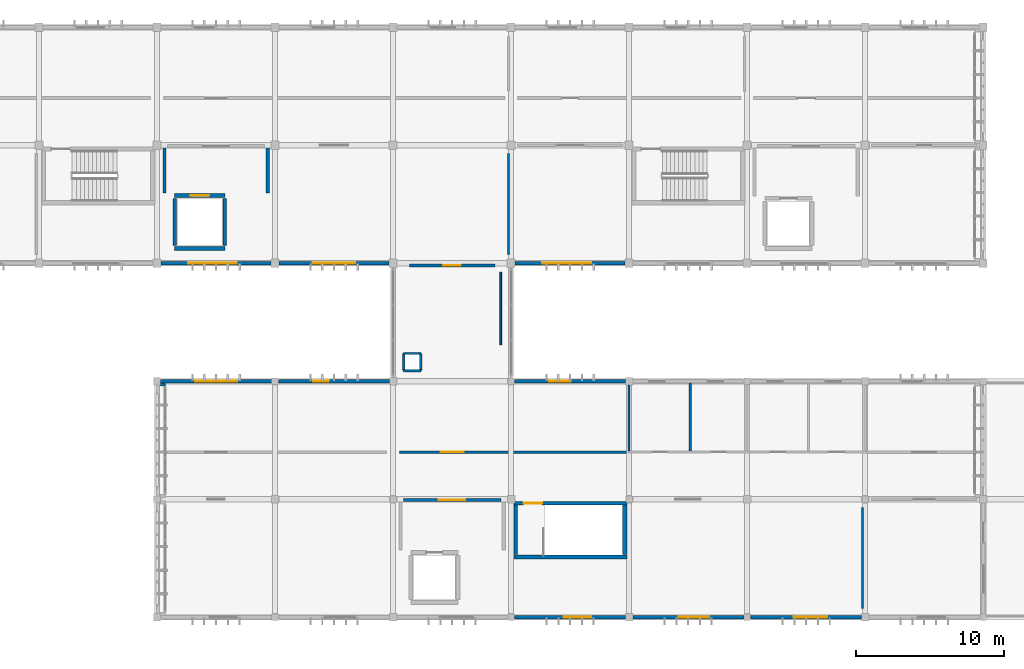
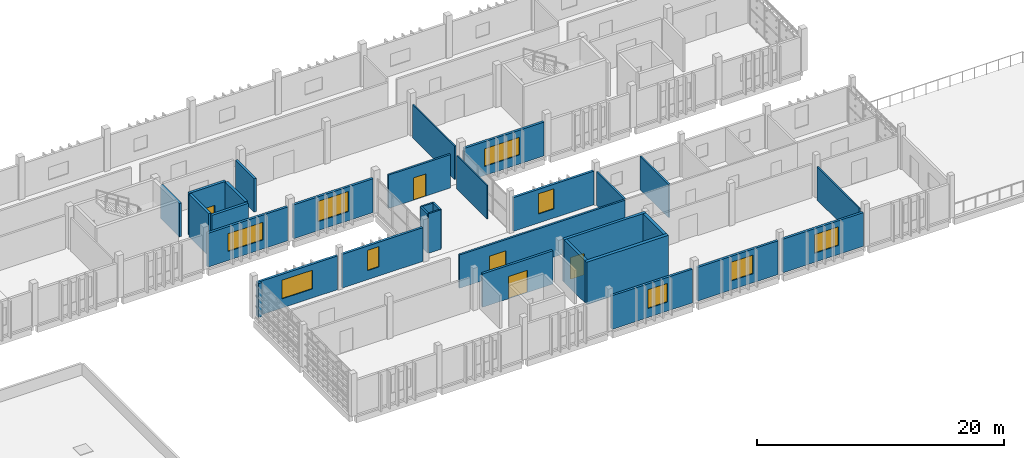
# One storey, part 22 of 32: 32 walls, 9 windows, 5 doors, 14 openings.
"""IFC4 building model written with IfcOpenShell, lengths in metres."""

from ifc_helpers import new_model, si_unit, direction, frame, frame_2d, origin, place, context, subcontext, project, spatial, rectangle, extrude, material, layer, layer_set, type_object, element, fill, save


model = new_model("IFC4")

# Units and contexts
model_context = context("Model", 3, precision=1e-05, world=origin(), true_north=direction((0.0, 1.0)))
body_context = subcontext(model_context, "Body", "Model", "MODEL_VIEW")
ifc_project = project(units=[si_unit("LENGTHUNIT", "METRE"), si_unit("AREAUNIT", "SQUARE_METRE"), si_unit("VOLUMEUNIT", "CUBIC_METRE"), si_unit("PLANEANGLEUNIT", "RADIAN"), si_unit("MASSUNIT", "GRAM", prefix="KILO")], contexts=[model_context])

# Site, building, storey
site_placement = place(None, origin())
site = spatial("IfcSite", under=ifc_project, at=site_placement, CompositionType="ELEMENT")
building_placement = place(site_placement, origin())
building = spatial("IfcBuilding", under=site, at=building_placement, Name="Jelvoka-Kovrelna Polytechnic", CompositionType="ELEMENT")
storey_placement = place(building_placement, frame((0.0, 0.0, 26.39990234375)))
storey = spatial("IfcBuildingStorey", under=building, at=storey_placement, Name="L07", CompositionType="ELEMENT", Elevation=26.39990234375)

# Wall, opening, door
ifc_material_1 = material(Name="Concrete C35/45", Category="concrete")
ifc_layer_1 = layer(ifc_material_1, 0.219970703125)
ifc_layer_set_1 = layer_set([ifc_layer_1], Name="Concrete C35/45")
wall_type_1 = type_object("IfcWallType", Name="Wall_Compartment_220", PredefinedType="PARTITIONING", material=ifc_layer_set_1)
wall_1_placement = place(storey_placement, frame((144.699951171875, 39.949951171875, 0.0), z_axis=(0.0, 0.0, 1.0), x_axis=(1.0, 0.0, 0.0)))
wall_1 = element("IfcWall", 1, at=wall_1_placement, inside=storey, type_object=wall_type_1, Name="L07 interior wall 0509", PredefinedType="PARTITIONING", context=body_context, shape_type="SweptSolid", body=[
    extrude(rectangle(XDim=6.60009765625, YDim=0.219970703125, at=frame_2d((3.300048828125, 0.0))), origin(), (0.0, 0.0, 1.0), 3.300048828125),
])
opening_1_placement = place(wall_1_placement, frame((2.39990234375, 0.0, 0.0)))
opening_1 = element("IfcOpeningElement", 2, at=opening_1_placement, cuts=wall_1, Name="Opening FD-L07-096", PredefinedType="OPENING", context=body_context, shape_type="SweptSolid", body=[
    extrude(rectangle(XDim=1.800048828125, YDim=2.199951171875, at=frame_2d((0.89990234375, 1.10009765625))), frame((0.0, 0.119873046875, 0.0), z_axis=(0.0, -1.0, 0.0), x_axis=(1.0, 0.0, 0.0)), (0.0, 0.0, 1.0), 0.239990234375),
])
ifc_material_2 = material(Name="Paired steel corridor fire door", Category="steel")
door_type_1 = type_object("IfcDoorType", Name="Door_Fire_FD03", OperationType="NOTDEFINED", PredefinedType="DOOR", material=ifc_material_2)
door_1_placement = place(opening_1_placement, origin())
door_1 = element("IfcDoor", 3, at=door_1_placement, inside=storey, type_object=door_type_1, Name="L07 interior door FD-L07-096", OperationType="DOUBLE_DOOR_SINGLE_SWING", OverallHeight=2.199951171875, OverallWidth=1.800048828125, PredefinedType="DOOR", context=body_context, shape_type="SweptSolid", body=[
    extrude(rectangle(XDim=1.800048828125, YDim=2.199951171875, at=frame_2d((0.89990234375, 1.10009765625))), frame((0.0, 0.02490234375, 0.0), z_axis=(0.0, -1.0, 0.0), x_axis=(1.0, 0.0, 0.0)), (0.0, 0.0, 1.0), 0.050048828125),
])
fill(opening_1, door_1)

# Walls
for number, where, z_axis, x_axis, name in (
    (4, (128.5, 60.75, 0.0), (0.0, 0.0, 1.0), (0.0, 1.0, 0.0), "L07 interior wall 0682"),
    (5, (135.5, 60.75, 0.0), (0.0, 0.0, 1.0), (0.0, 1.0, 0.0), "L07 interior wall 0683"),
):
    element("IfcWall", number, at=place(storey_placement, frame(where, z_axis=z_axis, x_axis=x_axis)), inside=storey, type_object=wall_type_1, Name=name, PredefinedType="PARTITIONING", context=body_context, shape_type="SweptSolid", body=[
        extrude(rectangle(XDim=3.050048828125, YDim=0.219970703125, at=frame_2d((1.52490234375, 0.0))), origin(), (0.0, 0.0, 1.0), 3.300048828125),
    ])

# Wall, opening, door
ifc_material_3 = material(Name="Concrete C40/50", Category="concrete")
ifc_layer_2 = layer(ifc_material_3, 0.25)
ifc_layer_set_2 = layer_set([ifc_layer_2], Name="Concrete C40/50")
wall_type_2 = type_object("IfcWallType", Name="Wall_Core_250", PredefinedType="SOLIDWALL", material=ifc_layer_set_2)
wall_2_placement = place(storey_placement, frame((152.199951171875, 39.739990234375, 0.0), z_axis=(0.0, 0.0, 1.0), x_axis=(1.0, 0.0, 0.0)))
wall_2 = element("IfcWall", 6, at=wall_2_placement, inside=storey, type_object=wall_type_2, Name="L07 interior wall 0143", PredefinedType="SOLIDWALL", context=body_context, shape_type="SweptSolid", body=[
    extrude(rectangle(XDim=7.650146484375, YDim=0.25, at=frame_2d((3.8251953125, 0.0))), origin(), (0.0, 0.0, 1.0), 4.2001953125),
])
opening_2_placement = place(wall_2_placement, frame((0.64990234375, 0.0, 0.0)))
opening_2 = element("IfcOpeningElement", 7, at=opening_2_placement, cuts=wall_2, Name="Opening SD-L07-036", PredefinedType="OPENING", context=body_context, shape_type="SweptSolid", body=[
    extrude(rectangle(XDim=1.25, YDim=2.14990234375, at=frame_2d((0.625, 1.074951171875))), frame((0.0, 0.135009765625, 0.0), z_axis=(0.0, -1.0, 0.0), x_axis=(1.0, 0.0, 0.0)), (0.0, 0.0, 1.0), 0.27001953125),
])
ifc_material_4 = material(Name="Powder-coated steel fire door", Category="steel")
door_type_2 = type_object("IfcDoorType", Name="Door_Fire_FD02", OperationType="NOTDEFINED", PredefinedType="DOOR", material=ifc_material_4)
door_2_placement = place(opening_2_placement, origin())
door_2 = element("IfcDoor", 8, at=door_2_placement, inside=storey, type_object=door_type_2, Name="L07 interior door SD-L07-036", OperationType="SINGLE_SWING_LEFT", OverallHeight=2.14990234375, OverallWidth=1.25, PredefinedType="DOOR", context=body_context, shape_type="SweptSolid", body=[
    extrude(rectangle(XDim=1.25, YDim=2.14990234375, at=frame_2d((0.625, 1.074951171875))), frame((0.0, 0.02490234375, 0.0), z_axis=(0.0, -1.0, 0.0), x_axis=(1.0, 0.0, 0.0)), (0.0, 0.0, 1.0), 0.050048828125),
])
fill(opening_2, door_2)

# Walls
wall_3_placement = place(storey_placement, frame((152.324951171875, 36.25, 0.0), z_axis=(0.0, 0.0, 1.0), x_axis=(0.0, 1.0, 0.0)))
element("IfcWall", 9, at=wall_3_placement, inside=storey, type_object=wall_type_2, Name="L07 interior wall 0144", PredefinedType="SOLIDWALL", context=body_context, shape_type="SweptSolid", body=[
    extrude(rectangle(XDim=3.360107421875, YDim=0.25, at=frame_2d((1.68017578125, 0.0))), origin(), (0.0, 0.0, 1.0), 4.2001953125),
])
wall_4_placement = place(storey_placement, frame((129.199951171875, 57.0, 0.0), z_axis=(0.0, 0.0, 1.0), x_axis=(1.0, 0.0, 0.0)))
element("IfcWall", 10, at=wall_4_placement, inside=storey, type_object=wall_type_2, Name="L07 interior wall 0677", PredefinedType="SOLIDWALL", context=body_context, shape_type="SweptSolid", body=[
    extrude(rectangle(XDim=3.400146484375, YDim=0.25, at=frame_2d((1.7001953125, 0.0))), origin(), (0.0, 0.0, 1.0), 4.2001953125),
])

# Wall, opening, door
wall_5_placement = place(storey_placement, frame((129.199951171875, 60.60009765625, 0.0), z_axis=(0.0, 0.0, 1.0), x_axis=(1.0, 0.0, 0.0)))
wall_5 = element("IfcWall", 11, at=wall_5_placement, inside=storey, type_object=wall_type_2, Name="L07 interior wall 0678", PredefinedType="SOLIDWALL", context=body_context, shape_type="SweptSolid", body=[
    extrude(rectangle(XDim=3.400146484375, YDim=0.25, at=frame_2d((1.7001953125, 0.0))), origin(), (0.0, 0.0, 1.0), 4.2001953125),
])
opening_3_placement = place(wall_5_placement, frame((1.050048828125, 0.0, 0.0)))
opening_3 = element("IfcOpeningElement", 12, at=opening_3_placement, cuts=wall_5, Name="Opening LD-L07-53", PredefinedType="OPENING", context=body_context, shape_type="SweptSolid", body=[
    extrude(rectangle(XDim=1.300048828125, YDim=2.199951171875, at=frame_2d((0.64990234375, 1.10009765625))), frame((0.0, 0.135009765625, 0.0), z_axis=(0.0, -1.0, 0.0), x_axis=(1.0, 0.0, 0.0)), (0.0, 0.0, 1.0), 0.27001953125),
])
ifc_material_5 = material(Name="Heavy-duty stainless goods lift landing door", Category="wood")
door_type_3 = type_object("IfcDoorType", Name="Door_Lift_LD02", OperationType="NOTDEFINED", PredefinedType="DOOR", material=ifc_material_5)
door_3_placement = place(opening_3_placement, origin())
door_3 = element("IfcDoor", 13, at=door_3_placement, inside=storey, type_object=door_type_3, Name="L07 lift landing sliding door LD-L07-53", OperationType="DOUBLE_DOOR_SLIDING", OverallHeight=2.199951171875, OverallWidth=1.300048828125, PredefinedType="DOOR", context=body_context, shape_type="SweptSolid", body=[
    extrude(rectangle(XDim=1.300048828125, YDim=2.199951171875, at=frame_2d((0.64990234375, 1.10009765625))), frame((0.0, 0.02490234375, 0.0), z_axis=(0.0, -1.0, 0.0), x_axis=(1.0, 0.0, 0.0)), (0.0, 0.0, 1.0), 0.050048828125),
])
fill(opening_3, door_3)

# Walls
for number, where, z_axis, x_axis, name in (
    (14, (129.199951171875, 57.199951171875, 0.0), (0.0, 0.0, 1.0), (0.0, 1.0, 0.0), "L07 interior wall 0679"),
    (15, (132.60009765625, 57.199951171875, 0.0), (0.0, 0.0, 1.0), (0.0, 1.0, 0.0), "L07 interior wall 0680"),
):
    element("IfcWall", number, at=place(storey_placement, frame(where, z_axis=z_axis, x_axis=x_axis)), inside=storey, type_object=wall_type_2, Name=name, PredefinedType="SOLIDWALL", context=body_context, shape_type="SweptSolid", body=[
        extrude(rectangle(XDim=3.199951171875, YDim=0.25, at=frame_2d((1.60009765625, 0.0))), origin(), (0.0, 0.0, 1.0), 4.2001953125),
    ])

# Wall, opening, door
ifc_material_6 = material(Name="Autoclaved aerated concrete blockwork", Category="masonry")
ifc_layer_3 = layer(ifc_material_6, 0.179931640625)
ifc_layer_set_3 = layer_set([ifc_layer_3], Name="Autoclaved aerated concrete blockwork")
wall_type_3 = type_object("IfcWallType", Name="Wall_Corridor_180", PredefinedType="PARTITIONING", material=ifc_layer_set_3)
wall_6_placement = place(storey_placement, frame((144.429931640625, 43.199951171875, 0.0), z_axis=(0.0, 0.0, 1.0), x_axis=(1.0, 0.0, 0.0)))
wall_6 = element("IfcWall", 16, at=wall_6_placement, inside=storey, type_object=wall_type_3, Name="L07 interior wall 1282", PredefinedType="PARTITIONING", context=body_context, shape_type="SweptSolid", body=[
    extrude(rectangle(XDim=15.4951171875, YDim=0.179931640625, at=frame_2d((7.74755859375, 0.0))), origin(), (0.0, 0.0, 1.0), 3.300048828125),
])
opening_4_placement = place(wall_6_placement, frame((2.7900390625, 0.0, 0.0)))
opening_4 = element("IfcOpeningElement", 17, at=opening_4_placement, cuts=wall_6, Name="Opening D-L07-448", PredefinedType="OPENING", context=body_context, shape_type="SweptSolid", body=[
    extrude(rectangle(XDim=1.56005859375, YDim=2.199951171875, at=frame_2d((0.780029296875, 1.10009765625))), frame((0.0, 0.099853515625, 0.0), z_axis=(0.0, -1.0, 0.0), x_axis=(1.0, 0.0, 0.0)), (0.0, 0.0, 1.0), 0.199951171875),
])
ifc_material_7 = material(Name="Paired studio double door", Category="wood")
door_type_4 = type_object("IfcDoorType", Name="Door_Int_D18", OperationType="NOTDEFINED", PredefinedType="DOOR", material=ifc_material_7)
door_4_placement = place(opening_4_placement, origin())
door_4 = element("IfcDoor", 18, at=door_4_placement, inside=storey, type_object=door_type_4, Name="L07 interior door D-L07-448", OperationType="DOUBLE_DOOR_SINGLE_SWING", OverallHeight=2.199951171875, OverallWidth=1.56005859375, PredefinedType="DOOR", context=body_context, shape_type="SweptSolid", body=[
    extrude(rectangle(XDim=1.56005859375, YDim=2.199951171875, at=frame_2d((0.780029296875, 1.10009765625))), frame((0.0, 0.02490234375, 0.0), z_axis=(0.0, -1.0, 0.0), x_axis=(1.0, 0.0, 0.0)), (0.0, 0.0, 1.0), 0.050048828125),
])
fill(opening_4, door_4)

wall_7_placement = place(storey_placement, frame((145.10009765625, 55.85009765625, 0.0), z_axis=(0.0, 0.0, 1.0), x_axis=(1.0, 0.0, 0.0)))
wall_7 = element("IfcWall", 19, at=wall_7_placement, inside=storey, type_object=wall_type_3, Name="L07 interior wall 1300", PredefinedType="PARTITIONING", context=body_context, shape_type="SweptSolid", body=[
    extrude(rectangle(XDim=5.7998046875, YDim=0.179931640625, at=frame_2d((2.89990234375, 0.0))), origin(), (0.0, 0.0, 1.0), 3.300048828125),
])
opening_5_placement = place(wall_7_placement, frame((2.300048828125, 0.0, 0.0)))
opening_5 = element("IfcOpeningElement", 20, at=opening_5_placement, cuts=wall_7, Name="Opening D-L07-461", PredefinedType="OPENING", context=body_context, shape_type="SweptSolid", body=[
    extrude(rectangle(XDim=1.199951171875, YDim=2.199951171875, at=frame_2d((0.60009765625, 1.10009765625))), frame((0.0, 0.099853515625, 0.0), z_axis=(0.0, -1.0, 0.0), x_axis=(1.0, 0.0, 0.0)), (0.0, 0.0, 1.0), 0.199951171875),
])
ifc_material_8 = material(Name="Laboratory vision-panel door", Category="wood")
door_type_5 = type_object("IfcDoorType", Name="Door_Int_D13", OperationType="NOTDEFINED", PredefinedType="DOOR", material=ifc_material_8)
door_5_placement = place(opening_5_placement, origin())
door_5 = element("IfcDoor", 21, at=door_5_placement, inside=storey, type_object=door_type_5, Name="L07 interior door D-L07-461", OperationType="SINGLE_SWING_RIGHT", OverallHeight=2.199951171875, OverallWidth=1.199951171875, PredefinedType="DOOR", context=body_context, shape_type="SweptSolid", body=[
    extrude(rectangle(XDim=1.199951171875, YDim=2.199951171875, at=frame_2d((0.60009765625, 1.10009765625))), frame((0.0, 0.02490234375, 0.0), z_axis=(0.0, -1.0, 0.0), x_axis=(1.0, 0.0, 0.0)), (0.0, 0.0, 1.0), 0.050048828125),
])
fill(opening_5, door_5)

# Wall, opening, window
ifc_material_9 = material(Name="Precast concrete C40/50", Category="concrete")
ifc_layer_4 = layer(ifc_material_9, 0.219970703125)
ifc_layer_set_4 = layer_set([ifc_layer_4], Name="Precast concrete C40/50")
wall_type_4 = type_object("IfcWallType", Name="Wall_Ext_White_220", PredefinedType="STANDARD", material=ifc_layer_set_4)
wall_8_placement = place(storey_placement, frame((128.2470703125, 48.0, 0.0), z_axis=(0.0, 0.0, 1.0), x_axis=(1.0, 0.0, 0.0)))
wall_8 = element("IfcWall", 22, at=wall_8_placement, inside=storey, type_object=wall_type_4, Name="L07 exterior wall 0556", PredefinedType="STANDARD", context=body_context, shape_type="SweptSolid", body=[
    extrude(rectangle(XDim=7.531005859375, YDim=0.219970703125, at=frame_2d((3.765625, 0.0))), origin(), (0.0, 0.0, 1.0), 3.335205078125),
])
opening_6_placement = place(wall_8_placement, frame((2.3330078125, 0.0, 0.89990234375)))
opening_6 = element("IfcOpeningElement", 23, at=opening_6_placement, cuts=wall_8, Name="Opening W-L07-243", PredefinedType="OPENING", context=body_context, shape_type="SweptSolid", body=[
    extrude(rectangle(XDim=2.85009765625, YDim=1.85009765625, at=frame_2d((1.425048828125, 0.925048828125))), frame((0.0, 0.119873046875, 0.0), z_axis=(0.0, -1.0, 0.0), x_axis=(1.0, 0.0, 0.0)), (0.0, 0.0, 1.0), 0.239990234375),
])
ifc_material_10 = material(Name="Thermally broken anodised aluminium and low-e glazing", Category="aluminium")
window_type_1 = type_object("IfcWindowType", Name="Win_Casement_W50", PartitioningType="DOUBLE_PANEL_VERTICAL", PredefinedType="WINDOW", material=ifc_material_10)
window_1_placement = place(opening_6_placement, origin())
window_1 = element("IfcWindow", 24, at=window_1_placement, inside=storey, type_object=window_type_1, Name="L07 aluminium casement window W-L07-243", OverallHeight=1.85009765625, OverallWidth=2.85009765625, PartitioningType="DOUBLE_PANEL_VERTICAL", PredefinedType="WINDOW", context=body_context, shape_type="SweptSolid", body=[
    extrude(rectangle(XDim=2.85009765625, YDim=1.85009765625, at=frame_2d((1.425048828125, 0.925048828125))), frame((0.0, 0.030029296875, 0.0), z_axis=(0.0, -1.0, 0.0), x_axis=(1.0, 0.0, 0.0)), (0.0, 0.0, 1.0), 0.06005859375),
])
fill(opening_6, window_1)

wall_9_placement = place(storey_placement, frame((136.221923828125, 48.0, 0.0), z_axis=(0.0, 0.0, 1.0), x_axis=(1.0, 0.0, 0.0)))
wall_9 = element("IfcWall", 25, at=wall_9_placement, inside=storey, type_object=wall_type_4, Name="L07 exterior wall 0558", PredefinedType="STANDARD", context=body_context, shape_type="SweptSolid", body=[
    extrude(rectangle(XDim=7.531005859375, YDim=0.219970703125, at=frame_2d((3.765625, 0.0))), origin(), (0.0, 0.0, 1.0), 3.335205078125),
])
opening_7_placement = place(wall_9_placement, frame((2.35791015625, 0.0, 0.89990234375)))
opening_7 = element("IfcOpeningElement", 26, at=opening_7_placement, cuts=wall_9, Name="Opening W-L07-245", PredefinedType="OPENING", context=body_context, shape_type="SweptSolid", body=[
    extrude(rectangle(XDim=1.050048828125, YDim=2.0, at=frame_2d((0.52490234375, 1.0))), frame((0.0, 0.119873046875, 0.0), z_axis=(0.0, -1.0, 0.0), x_axis=(1.0, 0.0, 0.0)), (0.0, 0.0, 1.0), 0.239990234375),
])
ifc_material_11 = material(Name="Thermally broken anodised aluminium and low-e glazing", Category="aluminium")
window_type_2 = type_object("IfcWindowType", Name="Win_Casement_W51", PartitioningType="SINGLE_PANEL", PredefinedType="WINDOW", material=ifc_material_11)
window_2_placement = place(opening_7_placement, origin())
window_2 = element("IfcWindow", 27, at=window_2_placement, inside=storey, type_object=window_type_2, Name="L07 aluminium casement window W-L07-245", OverallHeight=2.0, OverallWidth=1.050048828125, PartitioningType="SINGLE_PANEL", PredefinedType="WINDOW", context=body_context, shape_type="SweptSolid", body=[
    extrude(rectangle(XDim=1.050048828125, YDim=2.0, at=frame_2d((0.52490234375, 1.0))), frame((0.0, 0.030029296875, 0.0), z_axis=(0.0, -1.0, 0.0), x_axis=(1.0, 0.0, 0.0)), (0.0, 0.0, 1.0), 0.06005859375),
])
fill(opening_7, window_2)

wall_10_placement = place(storey_placement, frame((159.7529296875, 32.0, 0.0), z_axis=(0.0, 0.0, 1.0), x_axis=(-1.0, 0.0, 0.0)))
wall_10 = element("IfcWall", 28, at=wall_10_placement, inside=storey, type_object=wall_type_4, Name="L07 exterior wall 0560", PredefinedType="STANDARD", context=body_context, shape_type="SweptSolid", body=[
    extrude(rectangle(XDim=7.531005859375, YDim=0.219970703125, at=frame_2d((3.765625, 0.0))), origin(), (0.0, 0.0, 1.0), 3.335205078125),
])
opening_8_placement = place(wall_10_placement, frame((2.3330078125, 0.0, 0.89990234375)))
opening_8 = element("IfcOpeningElement", 29, at=opening_8_placement, cuts=wall_10, Name="Opening W-L07-247", PredefinedType="OPENING", context=body_context, shape_type="SweptSolid", body=[
    extrude(rectangle(XDim=1.85009765625, YDim=1.85009765625, at=frame_2d((0.925048828125, 0.925048828125))), frame((0.0, 0.119873046875, 0.0), z_axis=(0.0, -1.0, 0.0), x_axis=(1.0, 0.0, 0.0)), (0.0, 0.0, 1.0), 0.239990234375),
])
ifc_material_12 = material(Name="Thermally broken anodised aluminium and low-e glazing", Category="aluminium")
window_type_3 = type_object("IfcWindowType", Name="Win_Casement_W45", PartitioningType="DOUBLE_PANEL_VERTICAL", PredefinedType="WINDOW", material=ifc_material_12)
window_3_placement = place(opening_8_placement, origin())
window_3 = element("IfcWindow", 30, at=window_3_placement, inside=storey, type_object=window_type_3, Name="L07 aluminium casement window W-L07-247", OverallHeight=1.85009765625, OverallWidth=1.85009765625, PartitioningType="DOUBLE_PANEL_VERTICAL", PredefinedType="WINDOW", context=body_context, shape_type="SweptSolid", body=[
    extrude(rectangle(XDim=1.85009765625, YDim=1.85009765625, at=frame_2d((0.925048828125, 0.925048828125))), frame((0.0, 0.030029296875, 0.0), z_axis=(0.0, -1.0, 0.0), x_axis=(1.0, 0.0, 0.0)), (0.0, 0.0, 1.0), 0.06005859375),
])
fill(opening_8, window_3)

wall_11_placement = place(storey_placement, frame((152.221923828125, 48.0, 0.0), z_axis=(0.0, 0.0, 1.0), x_axis=(1.0, 0.0, 0.0)))
wall_11 = element("IfcWall", 31, at=wall_11_placement, inside=storey, type_object=wall_type_4, Name="L07 exterior wall 0561", PredefinedType="STANDARD", context=body_context, shape_type="SweptSolid", body=[
    extrude(rectangle(XDim=7.531005859375, YDim=0.219970703125, at=frame_2d((3.765625, 0.0))), origin(), (0.0, 0.0, 1.0), 3.335205078125),
])
opening_9_placement = place(wall_11_placement, frame((2.35791015625, 0.0, 0.89990234375)))
opening_9 = element("IfcOpeningElement", 32, at=opening_9_placement, cuts=wall_11, Name="Opening W-L07-248", PredefinedType="OPENING", context=body_context, shape_type="SweptSolid", body=[
    extrude(rectangle(XDim=1.449951171875, YDim=2.0, at=frame_2d((0.72509765625, 1.0))), frame((0.0, 0.119873046875, 0.0), z_axis=(0.0, -1.0, 0.0), x_axis=(1.0, 0.0, 0.0)), (0.0, 0.0, 1.0), 0.239990234375),
])
ifc_material_13 = material(Name="Thermally broken anodised aluminium and low-e glazing", Category="aluminium")
window_type_4 = type_object("IfcWindowType", Name="Win_Casement_W53", PartitioningType="SINGLE_PANEL", PredefinedType="WINDOW", material=ifc_material_13)
window_4_placement = place(opening_9_placement, origin())
window_4 = element("IfcWindow", 33, at=window_4_placement, inside=storey, type_object=window_type_4, Name="L07 aluminium casement window W-L07-248", OverallHeight=2.0, OverallWidth=1.449951171875, PartitioningType="SINGLE_PANEL", PredefinedType="WINDOW", context=body_context, shape_type="SweptSolid", body=[
    extrude(rectangle(XDim=1.449951171875, YDim=2.0, at=frame_2d((0.72509765625, 1.0))), frame((0.0, 0.030029296875, 0.0), z_axis=(0.0, -1.0, 0.0), x_axis=(1.0, 0.0, 0.0)), (0.0, 0.0, 1.0), 0.06005859375),
])
fill(opening_9, window_4)

wall_12_placement = place(storey_placement, frame((167.778076171875, 32.0, 0.0), z_axis=(0.0, 0.0, 1.0), x_axis=(-1.0, 0.0, 0.0)))
wall_12 = element("IfcWall", 34, at=wall_12_placement, inside=storey, type_object=wall_type_4, Name="L07 exterior wall 0562", PredefinedType="STANDARD", context=body_context, shape_type="SweptSolid", body=[
    extrude(rectangle(XDim=7.531005859375, YDim=0.219970703125, at=frame_2d((3.765625, 0.0))), origin(), (0.0, 0.0, 1.0), 3.335205078125),
])
opening_10_placement = place(wall_12_placement, frame((2.35791015625, 0.0, 0.89990234375)))
opening_10 = element("IfcOpeningElement", 35, at=opening_10_placement, cuts=wall_12, Name="Opening W-L07-249", PredefinedType="OPENING", context=body_context, shape_type="SweptSolid", body=[
    extrude(rectangle(XDim=2.050048828125, YDim=1.85009765625, at=frame_2d((1.02490234375, 0.925048828125))), frame((0.0, 0.119873046875, 0.0), z_axis=(0.0, -1.0, 0.0), x_axis=(1.0, 0.0, 0.0)), (0.0, 0.0, 1.0), 0.239990234375),
])
ifc_material_14 = material(Name="Thermally broken anodised aluminium and low-e glazing", Category="aluminium")
window_type_5 = type_object("IfcWindowType", Name="Win_Casement_W46", PartitioningType="DOUBLE_PANEL_VERTICAL", PredefinedType="WINDOW", material=ifc_material_14)
window_5_placement = place(opening_10_placement, origin())
window_5 = element("IfcWindow", 36, at=window_5_placement, inside=storey, type_object=window_type_5, Name="L07 aluminium casement window W-L07-249", OverallHeight=1.85009765625, OverallWidth=2.050048828125, PartitioningType="DOUBLE_PANEL_VERTICAL", PredefinedType="WINDOW", context=body_context, shape_type="SweptSolid", body=[
    extrude(rectangle(XDim=2.050048828125, YDim=1.85009765625, at=frame_2d((1.02490234375, 0.925048828125))), frame((0.0, 0.030029296875, 0.0), z_axis=(0.0, -1.0, 0.0), x_axis=(1.0, 0.0, 0.0)), (0.0, 0.0, 1.0), 0.06005859375),
])
fill(opening_10, window_5)

wall_13_placement = place(storey_placement, frame((175.7529296875, 32.0, 0.0), z_axis=(0.0, 0.0, 1.0), x_axis=(-1.0, 0.0, 0.0)))
wall_13 = element("IfcWall", 37, at=wall_13_placement, inside=storey, type_object=wall_type_4, Name="L07 exterior wall 0564", PredefinedType="STANDARD", context=body_context, shape_type="SweptSolid", body=[
    extrude(rectangle(XDim=7.531005859375, YDim=0.219970703125, at=frame_2d((3.765625, 0.0))), origin(), (0.0, 0.0, 1.0), 3.335205078125),
])
opening_11_placement = place(wall_13_placement, frame((2.3330078125, 0.0, 0.89990234375)))
opening_11 = element("IfcOpeningElement", 38, at=opening_11_placement, cuts=wall_13, Name="Opening W-L07-252", PredefinedType="OPENING", context=body_context, shape_type="SweptSolid", body=[
    extrude(rectangle(XDim=2.25, YDim=1.85009765625, at=frame_2d((1.125, 0.925048828125))), frame((0.0, 0.119873046875, 0.0), z_axis=(0.0, -1.0, 0.0), x_axis=(1.0, 0.0, 0.0)), (0.0, 0.0, 1.0), 0.239990234375),
])
ifc_material_15 = material(Name="Thermally broken anodised aluminium and low-e glazing", Category="aluminium")
window_type_6 = type_object("IfcWindowType", Name="Win_Casement_W47", PartitioningType="DOUBLE_PANEL_VERTICAL", PredefinedType="WINDOW", material=ifc_material_15)
window_6_placement = place(opening_11_placement, origin())
window_6 = element("IfcWindow", 39, at=window_6_placement, inside=storey, type_object=window_type_6, Name="L07 aluminium casement window W-L07-252", OverallHeight=1.85009765625, OverallWidth=2.25, PartitioningType="DOUBLE_PANEL_VERTICAL", PredefinedType="WINDOW", context=body_context, shape_type="SweptSolid", body=[
    extrude(rectangle(XDim=2.25, YDim=1.85009765625, at=frame_2d((1.125, 0.925048828125))), frame((0.0, 0.030029296875, 0.0), z_axis=(0.0, -1.0, 0.0), x_axis=(1.0, 0.0, 0.0)), (0.0, 0.0, 1.0), 0.06005859375),
])
fill(opening_11, window_6)

wall_14_placement = place(storey_placement, frame((135.72802734375, 56.0, 0.0), z_axis=(0.0, 0.0, 1.0), x_axis=(-1.0, 0.0, 0.0)))
wall_14 = element("IfcWall", 40, at=wall_14_placement, inside=storey, type_object=wall_type_4, Name="L07 exterior wall 0797", PredefinedType="STANDARD", context=body_context, shape_type="SweptSolid", body=[
    extrude(rectangle(XDim=7.4560546875, YDim=0.219970703125, at=frame_2d((3.72802734375, 0.0))), origin(), (0.0, 0.0, 1.0), 3.35009765625),
])
opening_12_placement = place(wall_14_placement, frame((2.30810546875, 0.0, 0.89990234375)))
opening_12 = element("IfcOpeningElement", 41, at=opening_12_placement, cuts=wall_14, Name="Opening W-L07-451", PredefinedType="OPENING", context=body_context, shape_type="SweptSolid", body=[
    extrude(rectangle(XDim=3.300048828125, YDim=1.75, at=frame_2d((1.64990234375, 0.875))), frame((0.0, 0.119873046875, 0.0), z_axis=(0.0, -1.0, 0.0), x_axis=(1.0, 0.0, 0.0)), (0.0, 0.0, 1.0), 0.239990234375),
])
ifc_material_16 = material(Name="Thermally broken anodised aluminium and low-e glazing", Category="aluminium")
window_type_7 = type_object("IfcWindowType", Name="Win_Casement_W62", PartitioningType="DOUBLE_PANEL_VERTICAL", PredefinedType="WINDOW", material=ifc_material_16)
window_7_placement = place(opening_12_placement, origin())
window_7 = element("IfcWindow", 42, at=window_7_placement, inside=storey, type_object=window_type_7, Name="L07 aluminium casement window W-L07-451", OverallHeight=1.75, OverallWidth=3.300048828125, PartitioningType="DOUBLE_PANEL_VERTICAL", PredefinedType="WINDOW", context=body_context, shape_type="SweptSolid", body=[
    extrude(rectangle(XDim=3.300048828125, YDim=1.75, at=frame_2d((1.64990234375, 0.875))), frame((0.0, 0.030029296875, 0.0), z_axis=(0.0, -1.0, 0.0), x_axis=(1.0, 0.0, 0.0)), (0.0, 0.0, 1.0), 0.06005859375),
])
fill(opening_12, window_7)

wall_15_placement = place(storey_placement, frame((143.72802734375, 56.0, 0.0), z_axis=(0.0, 0.0, 1.0), x_axis=(-1.0, 0.0, 0.0)))
wall_15 = element("IfcWall", 43, at=wall_15_placement, inside=storey, type_object=wall_type_4, Name="L07 exterior wall 0799", PredefinedType="STANDARD", context=body_context, shape_type="SweptSolid", body=[
    extrude(rectangle(XDim=7.4560546875, YDim=0.219970703125, at=frame_2d((3.72802734375, 0.0))), origin(), (0.0, 0.0, 1.0), 3.35009765625),
])
opening_13_placement = place(wall_15_placement, frame((2.30810546875, 0.0, 0.89990234375)))
opening_13 = element("IfcOpeningElement", 44, at=opening_13_placement, cuts=wall_15, Name="Opening W-L07-453", PredefinedType="OPENING", context=body_context, shape_type="SweptSolid", body=[
    extrude(rectangle(XDim=2.85009765625, YDim=2.0, at=frame_2d((1.425048828125, 1.0))), frame((0.0, 0.119873046875, 0.0), z_axis=(0.0, -1.0, 0.0), x_axis=(1.0, 0.0, 0.0)), (0.0, 0.0, 1.0), 0.239990234375),
])
ifc_material_17 = material(Name="Thermally broken anodised aluminium and low-e glazing", Category="aluminium")
window_type_8 = type_object("IfcWindowType", Name="Win_Casement_W60", PartitioningType="DOUBLE_PANEL_VERTICAL", PredefinedType="WINDOW", material=ifc_material_17)
window_8_placement = place(opening_13_placement, origin())
window_8 = element("IfcWindow", 45, at=window_8_placement, inside=storey, type_object=window_type_8, Name="L07 aluminium casement window W-L07-453", OverallHeight=2.0, OverallWidth=2.85009765625, PartitioningType="DOUBLE_PANEL_VERTICAL", PredefinedType="WINDOW", context=body_context, shape_type="SweptSolid", body=[
    extrude(rectangle(XDim=2.85009765625, YDim=2.0, at=frame_2d((1.425048828125, 1.0))), frame((0.0, 0.030029296875, 0.0), z_axis=(0.0, -1.0, 0.0), x_axis=(1.0, 0.0, 0.0)), (0.0, 0.0, 1.0), 0.06005859375),
])
fill(opening_13, window_8)

wall_16_placement = place(storey_placement, frame((159.72802734375, 56.0, 0.0), z_axis=(0.0, 0.0, 1.0), x_axis=(-1.0, 0.0, 0.0)))
wall_16 = element("IfcWall", 46, at=wall_16_placement, inside=storey, type_object=wall_type_4, Name="L07 exterior wall 0802", PredefinedType="STANDARD", context=body_context, shape_type="SweptSolid", body=[
    extrude(rectangle(XDim=7.4560546875, YDim=0.219970703125, at=frame_2d((3.72802734375, 0.0))), origin(), (0.0, 0.0, 1.0), 3.35009765625),
])
opening_14_placement = place(wall_16_placement, frame((2.30810546875, 0.0, 0.89990234375)))
opening_14 = element("IfcOpeningElement", 47, at=opening_14_placement, cuts=wall_16, Name="Opening W-L07-456", PredefinedType="OPENING", context=body_context, shape_type="SweptSolid", body=[
    extrude(rectangle(XDim=3.300048828125, YDim=1.75, at=frame_2d((1.64990234375, 0.875))), frame((0.0, 0.119873046875, 0.0), z_axis=(0.0, -1.0, 0.0), x_axis=(1.0, 0.0, 0.0)), (0.0, 0.0, 1.0), 0.239990234375),
])
window_9_placement = place(opening_14_placement, origin())
window_9 = element("IfcWindow", 48, at=window_9_placement, inside=storey, type_object=window_type_7, Name="L07 aluminium casement window W-L07-456", OverallHeight=1.75, OverallWidth=3.300048828125, PartitioningType="DOUBLE_PANEL_VERTICAL", PredefinedType="WINDOW", context=body_context, shape_type="SweptSolid", body=[
    extrude(rectangle(XDim=3.300048828125, YDim=1.75, at=frame_2d((1.64990234375, 0.875))), frame((0.0, 0.030029296875, 0.0), z_axis=(0.0, -1.0, 0.0), x_axis=(1.0, 0.0, 0.0)), (0.0, 0.0, 1.0), 0.06005859375),
])
fill(opening_14, window_9)

# Walls
ifc_material_18 = material(Name="Acoustic operable timber-aluminium panel", Category="wood")
ifc_layer_5 = layer(ifc_material_18, 0.110107421875)
ifc_layer_set_5 = layer_set([ifc_layer_5], Name="Acoustic operable timber-aluminium panel")
wall_type_5 = type_object("IfcWallType", Name="Wall_Movable_110", PredefinedType="MOVABLE", material=ifc_layer_set_5)
wall_17_placement = place(storey_placement, frame((151.300048828125, 50.469970703125, 0.0), z_axis=(0.0, 0.0, 1.0), x_axis=(0.0, 1.0, 0.0)))
element("IfcWall", 49, at=wall_17_placement, inside=storey, type_object=wall_type_5, Name="L07 interior wall 1301", PredefinedType="MOVABLE", context=body_context, shape_type="SweptSolid", body=[
    extrude(rectangle(XDim=4.909912109375, YDim=0.110107421875, at=frame_2d((2.455078125, 0.0))), origin(), (0.0, 0.0, 1.0), 3.300048828125),
])
ifc_material_19 = material(Name="Precast concrete C40/50", Category="concrete")
ifc_layer_6 = layer(ifc_material_19, 0.199951171875)
ifc_layer_set_6 = layer_set([ifc_layer_6], Name="Precast concrete C40/50")
wall_type_6 = type_object("IfcWallType", Name="Wall_Parapet_200", PredefinedType="PARAPET", material=ifc_layer_set_6)
wall_18_placement = place(storey_placement, frame((128.239990234375, 47.780029296875, 0.0), z_axis=(0.0, 0.0, 1.0), x_axis=(1.0, 0.0, 0.0)))
element("IfcWall", 50, at=wall_18_placement, inside=storey, type_object=wall_type_6, Name="L07 exterior wall 0571", PredefinedType="PARAPET", context=body_context, shape_type="SweptSolid", body=[
    extrude(rectangle(XDim=0.320068359375, YDim=0.199951171875, at=frame_2d((0.16015625, 0.0))), origin(), (0.0, 0.0, 1.0), 3.35009765625),
])
ifc_material_20 = material(Name="Acoustic gypsum stud partition")
ifc_layer_7 = layer(ifc_material_20, 0.125)
ifc_layer_set_7 = layer_set([ifc_layer_7], Name="Acoustic gypsum stud partition")
wall_type_7 = type_object("IfcWallType", Name="Wall_Partition_125", PredefinedType="PARTITIONING", material=ifc_layer_set_7)
for number, where, z_axis, x_axis, name in (
    (51, (175.820068359375, 32.6201171875, 0.0), (0.0, 0.0, 1.0), (0.0, 1.0, 0.0), "L07 interior wall 1279"),
    (52, (151.820068359375, 56.6201171875, 0.0), (0.0, 0.0, 1.0), (0.0, 1.0, 0.0), "L07 interior wall 1288"),
):
    element("IfcWall", number, at=place(storey_placement, frame(where, z_axis=z_axis, x_axis=x_axis)), inside=storey, type_object=wall_type_7, Name=name, PredefinedType="PARTITIONING", context=body_context, shape_type="SweptSolid", body=[
        extrude(rectangle(XDim=6.809814453125, YDim=0.125, at=frame_2d((3.40478515625, 0.0))), origin(), (0.0, 0.0, 1.0), 3.300048828125),
    ])
ifc_material_21 = material(Name="Autoclaved aerated concrete blockwork", Category="masonry")
ifc_layer_8 = layer(ifc_material_21, 0.14990234375)
ifc_layer_set_8 = layer_set([ifc_layer_8], Name="Autoclaved aerated concrete blockwork")
wall_type_8 = type_object("IfcWallType", Name="Wall_Partition_150", PredefinedType="PARTITIONING", material=ifc_layer_set_8)
for number, where, z_axis, x_axis, name in (
    (53, (144.719970703125, 48.719970703125, 0.0), (0.0, 0.0, 1.0), (1.0, 0.0, 0.0), "L07 interior wall 0795"),
    (54, (145.8798828125, 48.719970703125, 0.0), (0.0, 0.0, 1.0), (0.0, 1.0, 0.0), "L07 interior wall 0796"),
    (55, (145.8798828125, 49.8798828125, 0.0), (0.0, 0.0, 1.0), (-1.0, 0.0, 0.0), "L07 interior wall 0797"),
    (56, (144.719970703125, 49.8798828125, 0.0), (0.0, 0.0, 1.0), (0.0, -1.0, 0.0), "L07 interior wall 0798"),
):
    element("IfcWall", number, at=place(storey_placement, frame(where, z_axis=z_axis, x_axis=x_axis)), inside=storey, type_object=wall_type_8, Name=name, PredefinedType="PARTITIONING", context=body_context, shape_type="SweptSolid", body=[
        extrude(rectangle(XDim=1.159912109375, YDim=0.14990234375, at=frame_2d((0.580078125, 0.0))), origin(), (0.0, 0.0, 1.0), 3.900146484375),
    ])
wall_19_placement = place(storey_placement, frame((160.0, 43.27490234375, 0.0), z_axis=(0.0, 0.0, 1.0), x_axis=(0.0, 1.0, 0.0)))
element("IfcWall", 57, at=wall_19_placement, inside=storey, type_object=wall_type_8, Name="L07 interior wall 1272", PredefinedType="PARTITIONING", context=body_context, shape_type="SweptSolid", body=[
    extrude(rectangle(XDim=4.47509765625, YDim=0.14990234375, at=frame_2d((2.237548828125, 0.0))), origin(), (0.0, 0.0, 1.0), 3.300048828125),
])
wall_20_placement = place(storey_placement, frame((164.14990234375, 43.27490234375, 0.0), z_axis=(0.0, 0.0, 1.0), x_axis=(0.0, 1.0, 0.0)))
element("IfcWall", 58, at=wall_20_placement, inside=storey, type_object=wall_type_8, Name="L07 interior wall 1273", PredefinedType="PARTITIONING", context=body_context, shape_type="SweptSolid", body=[
    extrude(rectangle(XDim=4.614990234375, YDim=0.14990234375, at=frame_2d((2.3076171875, 0.0))), origin(), (0.0, 0.0, 1.0), 3.300048828125),
])
ifc_material_22 = material(Name="Concrete C40/50", Category="concrete")
ifc_layer_9 = layer(ifc_material_22, 0.300048828125)
ifc_layer_set_9 = layer_set([ifc_layer_9], Name="Concrete C40/50")
wall_type_9 = type_object("IfcWallType", Name="Wall_Shear_300", PredefinedType="SHEAR", material=ifc_layer_set_9)
wall_21_placement = place(storey_placement, frame((152.199951171875, 36.090087890625, 0.0), z_axis=(0.0, 0.0, 1.0), x_axis=(1.0, 0.0, 0.0)))
element("IfcWall", 59, at=wall_21_placement, inside=storey, type_object=wall_type_9, Name="L07 interior wall 0141", PredefinedType="SHEAR", context=body_context, shape_type="SweptSolid", body=[
    extrude(rectangle(XDim=7.650146484375, YDim=0.300048828125, at=frame_2d((3.8251953125, 0.0))), origin(), (0.0, 0.0, 1.0), 4.2001953125),
])
wall_22_placement = place(storey_placement, frame((159.7099609375, 36.25, 0.0), z_axis=(0.0, 0.0, 1.0), x_axis=(0.0, 1.0, 0.0)))
element("IfcWall", 60, at=wall_22_placement, inside=storey, type_object=wall_type_9, Name="L07 interior wall 0142", PredefinedType="SHEAR", context=body_context, shape_type="SweptSolid", body=[
    extrude(rectangle(XDim=3.360107421875, YDim=0.300048828125, at=frame_2d((1.68017578125, 0.0))), origin(), (0.0, 0.0, 1.0), 4.2001953125),
])

save(model, "model.ifc")
